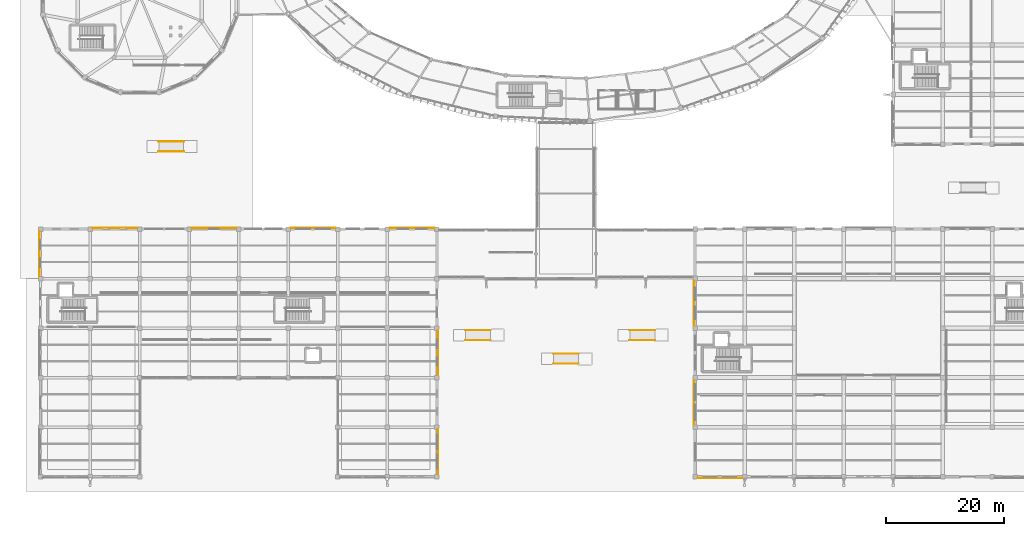
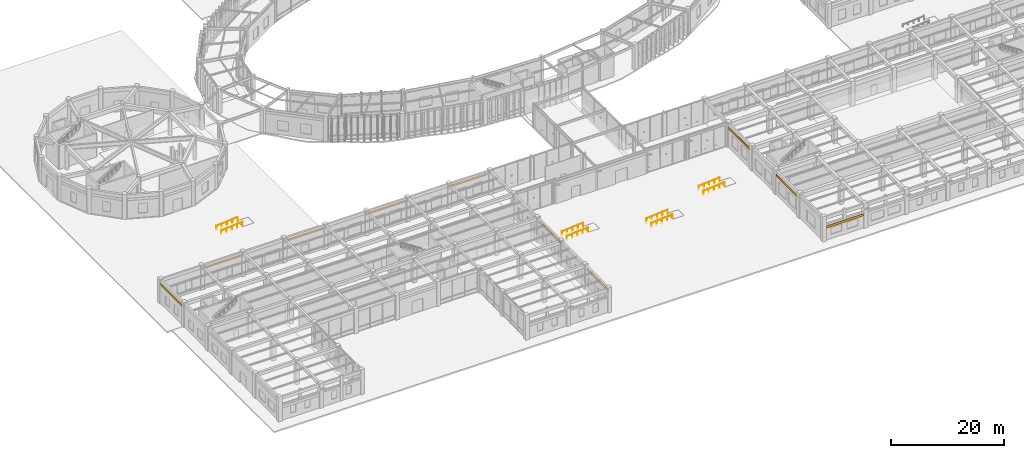
# One storey, part 145 of 157: 10 coverings, 8 railings.
"""IFC4 building model written with IfcOpenShell, lengths in metres."""

from ifc_helpers import new_model, si_unit, direction, frame, origin, origin_2d, place, context, subcontext, project, spatial, polyline, circle, outline, extrude, material, layer, layer_set, type_object, element, save


model = new_model("IFC4")

# Units and contexts
model_context = context("Model", 3, precision=1e-05, world=origin(), true_north=direction((0.0, 1.0)))
body_context = subcontext(model_context, "Body", "Model", "MODEL_VIEW")
ifc_project = project(units=[si_unit("LENGTHUNIT", "METRE"), si_unit("AREAUNIT", "SQUARE_METRE"), si_unit("VOLUMEUNIT", "CUBIC_METRE"), si_unit("PLANEANGLEUNIT", "RADIAN"), si_unit("MASSUNIT", "GRAM", prefix="KILO"), si_unit("THERMODYNAMICTEMPERATUREUNIT", "KELVIN"), si_unit("POWERUNIT", "WATT")], contexts=[model_context])

# Site, building, storey
site_placement = place(None, origin())
site = spatial("IfcSite", under=ifc_project, at=site_placement, CompositionType="ELEMENT")
building_placement = place(site_placement, origin())
building = spatial("IfcBuilding", under=site, at=building_placement, Name="Darbajah Civic Hall", CompositionType="ELEMENT")
storey_placement = place(building_placement, origin())
storey = spatial("IfcBuildingStorey", under=building, at=storey_placement, Name="L00", CompositionType="ELEMENT", Elevation=0.0)

# Railings
ifc_material_1 = material(Name="Brushed Bronze Stainless Steel", Category="steel")
railing_type = type_object("IfcRailingType", Name="Exterior Ramp Handrail", PredefinedType="HANDRAIL", material=ifc_material_1)
for number, where, name in (
    (1, (72.0, 23.14990234375, -0.360107421875), "South West Maidan Accessible Ramp handrail A"),
    (2, (72.0, 24.85009765625, -0.360107421875), "South West Maidan Accessible Ramp handrail B"),
    (3, (99.8798828125, 23.14990234375, -0.360107421875), "South East Maidan Accessible Ramp handrail A"),
    (4, (99.8798828125, 24.85009765625, -0.360107421875), "South East Maidan Accessible Ramp handrail B"),
    (5, (86.93994140625, 19.14990234375, -0.360107421875), "Central Pishtaq Ceremonial Approach Ramp handrail A"),
    (6, (86.93994140625, 20.85009765625, -0.360107421875), "Central Pishtaq Ceremonial Approach Ramp handrail B"),
    (7, (20.0, 55.14990234375, -0.360107421875), "West Council Drum Plaza Accessible Ramp handrail A"),
    (8, (20.0, 56.85009765625, -0.360107421875), "West Council Drum Plaza Accessible Ramp handrail B"),
):
    element("IfcRailing", number, at=place(storey_placement, frame(where)), inside=storey, type_object=railing_type, Name=name, PredefinedType="HANDRAIL", context=body_context, shape_type="SweptSolid", body=[
        extrude(circle(Radius=0.02392578125, at=origin_2d()), frame((0.027099609375, 0.0, 0.898193359375), z_axis=(0.996543815979, 0.0, 0.083068783756), x_axis=(0.0, 1.0, 0.0)), (0.0, 0.0, 1.0), 4.280517578125),
        extrude(circle(Radius=0.02099609375, at=origin_2d()), origin(), (0.0, 0.0, 1.0), 0.867919921875),
        extrude(circle(Radius=0.02099609375, at=origin_2d()), frame((1.080078125, 0.0, 0.090087890625)), (0.0, 0.0, 1.0), 0.867919921875),
        extrude(circle(Radius=0.02099609375, at=origin_2d()), frame((2.16015625, 0.0, 0.18017578125)), (0.0, 0.0, 1.0), 0.867919921875),
        extrude(circle(Radius=0.02099609375, at=origin_2d()), frame((3.239990234375, 0.0, 0.27001953125)), (0.0, 0.0, 1.0), 0.867919921875),
        extrude(circle(Radius=0.02099609375, at=origin_2d()), frame((4.320068359375, 0.0, 0.360107421875)), (0.0, 0.0, 1.0), 0.867919921875),
    ])

# Coverings
ifc_material_2 = material(Name="Qatari Desert Limestone Ashlar", Category="masonry")
ifc_layer = layer(ifc_material_2, 0.044921875, Name="Qatari Desert Limestone Ashlar")
ifc_layer_set = layer_set([ifc_layer], Name="Qatari Desert Limestone Ashlar")
covering_type = type_object("IfcCoveringType", Name="Limestone Facade Cladding", PredefinedType="CLADDING", material=ifc_layer_set)
covering_1_placement = place(storey_placement, frame((0.0, 0.0, 2.60009765625)))
element("IfcCovering", 9, at=covering_1_placement, inside=storey, type_object=covering_type, Name="L00 stone frieze cladding EW-V3-L00-S0-B0", PredefinedType="CLADDING", context=body_context, shape_type="SweptSolid", body=[
    extrude(outline(polyline([(111.402099609375, -0.18994140625), (118.998046875, -0.18994140625), (118.998046875, -0.235107421875), (111.402099609375, -0.235107421875), (111.402099609375, -0.18994140625)])), origin(), (0.0, 0.0, 1.0), 0.5),
])
covering_2_placement = place(storey_placement, frame((0.0, 0.0, 3.949951171875)))
element("IfcCovering", 10, at=covering_2_placement, inside=storey, type_object=covering_type, Name="L00 stone frieze cladding EW-V3-L00-S3-B0", PredefinedType="CLADDING", context=body_context, shape_type="SweptSolid", body=[
    extrude(outline(polyline([(110.81005859375, 33.197998046875), (110.81005859375, 25.60205078125), (110.764892578125, 25.60205078125), (110.764892578125, 33.197998046875), (110.81005859375, 33.197998046875)])), origin(), (0.0, 0.0, 1.0), 0.5),
])
covering_3_placement = place(storey_placement, frame((0.0, 0.0, 3.949951171875)))
element("IfcCovering", 11, at=covering_3_placement, inside=storey, type_object=covering_type, Name="L00 stone frieze cladding EW-V3-L00-S3-B2", PredefinedType="CLADDING", context=body_context, shape_type="SweptSolid", body=[
    extrude(outline(polyline([(110.81005859375, 16.39794921875), (110.81005859375, 8.802001953125), (110.764892578125, 8.802001953125), (110.764892578125, 16.39794921875), (110.81005859375, 16.39794921875)])), origin(), (0.0, 0.0, 1.0), 0.5),
])
covering_4_placement = place(storey_placement, frame((0.0, 0.0, 3.989990234375)))
element("IfcCovering", 12, at=covering_4_placement, inside=storey, type_object=covering_type, Name="L00 stone frieze cladding EW-V5-L00-S5-B0", PredefinedType="CLADDING", context=body_context, shape_type="SweptSolid", body=[
    extrude(outline(polyline([(67.35498046875, 0.376953125), (67.35498046875, 8.02294921875), (67.39990234375, 8.02294921875), (67.39990234375, 0.376953125), (67.35498046875, 0.376953125)])), origin(), (0.0, 0.0, 1.0), 0.5),
])
covering_5_placement = place(storey_placement, frame((0.0, 0.0, 3.989990234375)))
element("IfcCovering", 13, at=covering_5_placement, inside=storey, type_object=covering_type, Name="L00 stone frieze cladding EW-V5-L00-S5-B2", PredefinedType="CLADDING", context=body_context, shape_type="SweptSolid", body=[
    extrude(outline(polyline([(67.35498046875, 17.177001953125), (67.35498046875, 24.822998046875), (67.39990234375, 24.822998046875), (67.39990234375, 17.177001953125), (67.35498046875, 17.177001953125)])), origin(), (0.0, 0.0, 1.0), 0.5),
])
covering_6_placement = place(storey_placement, frame((0.0, 0.0, 3.989990234375)))
element("IfcCovering", 14, at=covering_6_placement, inside=storey, type_object=covering_type, Name="L00 stone frieze cladding EW-V5-L00-S6-B0", PredefinedType="CLADDING", context=body_context, shape_type="SweptSolid", body=[
    extrude(outline(polyline([(66.822998046875, 42.155029296875), (59.177001953125, 42.155029296875), (59.177001953125, 42.199951171875), (66.822998046875, 42.199951171875), (66.822998046875, 42.155029296875)])), origin(), (0.0, 0.0, 1.0), 0.5),
])
covering_7_placement = place(storey_placement, frame((0.0, 0.0, 3.989990234375)))
element("IfcCovering", 15, at=covering_7_placement, inside=storey, type_object=covering_type, Name="L00 stone frieze cladding EW-V5-L00-S6-B2", PredefinedType="CLADDING", context=body_context, shape_type="SweptSolid", body=[
    extrude(outline(polyline([(50.02294921875, 42.155029296875), (42.376953125, 42.155029296875), (42.376953125, 42.199951171875), (50.02294921875, 42.199951171875), (50.02294921875, 42.155029296875)])), origin(), (0.0, 0.0, 1.0), 0.5),
])
covering_8_placement = place(storey_placement, frame((0.0, 0.0, 3.989990234375)))
element("IfcCovering", 16, at=covering_8_placement, inside=storey, type_object=covering_type, Name="L00 stone frieze cladding EW-V5-L00-S6-B4", PredefinedType="CLADDING", context=body_context, shape_type="SweptSolid", body=[
    extrude(outline(polyline([(33.222900390625, 42.155029296875), (25.576904296875, 42.155029296875), (25.576904296875, 42.199951171875), (33.222900390625, 42.199951171875), (33.222900390625, 42.155029296875)])), origin(), (0.0, 0.0, 1.0), 0.5),
])
covering_9_placement = place(storey_placement, frame((0.0, 0.0, 3.989990234375)))
element("IfcCovering", 17, at=covering_9_placement, inside=storey, type_object=covering_type, Name="L00 stone frieze cladding EW-V5-L00-S6-B6", PredefinedType="CLADDING", context=body_context, shape_type="SweptSolid", body=[
    extrude(outline(polyline([(16.423095703125, 42.155029296875), (8.777099609375, 42.155029296875), (8.777099609375, 42.199951171875), (16.423095703125, 42.199951171875), (16.423095703125, 42.155029296875)])), origin(), (0.0, 0.0, 1.0), 0.5),
])
covering_10_placement = place(storey_placement, frame((0.0, 0.0, 3.989990234375)))
element("IfcCovering", 18, at=covering_10_placement, inside=storey, type_object=covering_type, Name="L00 stone frieze cladding EW-V5-L00-S7-B0", PredefinedType="CLADDING", context=body_context, shape_type="SweptSolid", body=[
    extrude(outline(polyline([(-0.155029296875, 41.623046875), (-0.155029296875, 33.97705078125), (-0.199951171875, 33.97705078125), (-0.199951171875, 41.623046875), (-0.155029296875, 41.623046875)])), origin(), (0.0, 0.0, 1.0), 0.5),
])

save(model, "model.ifc")
